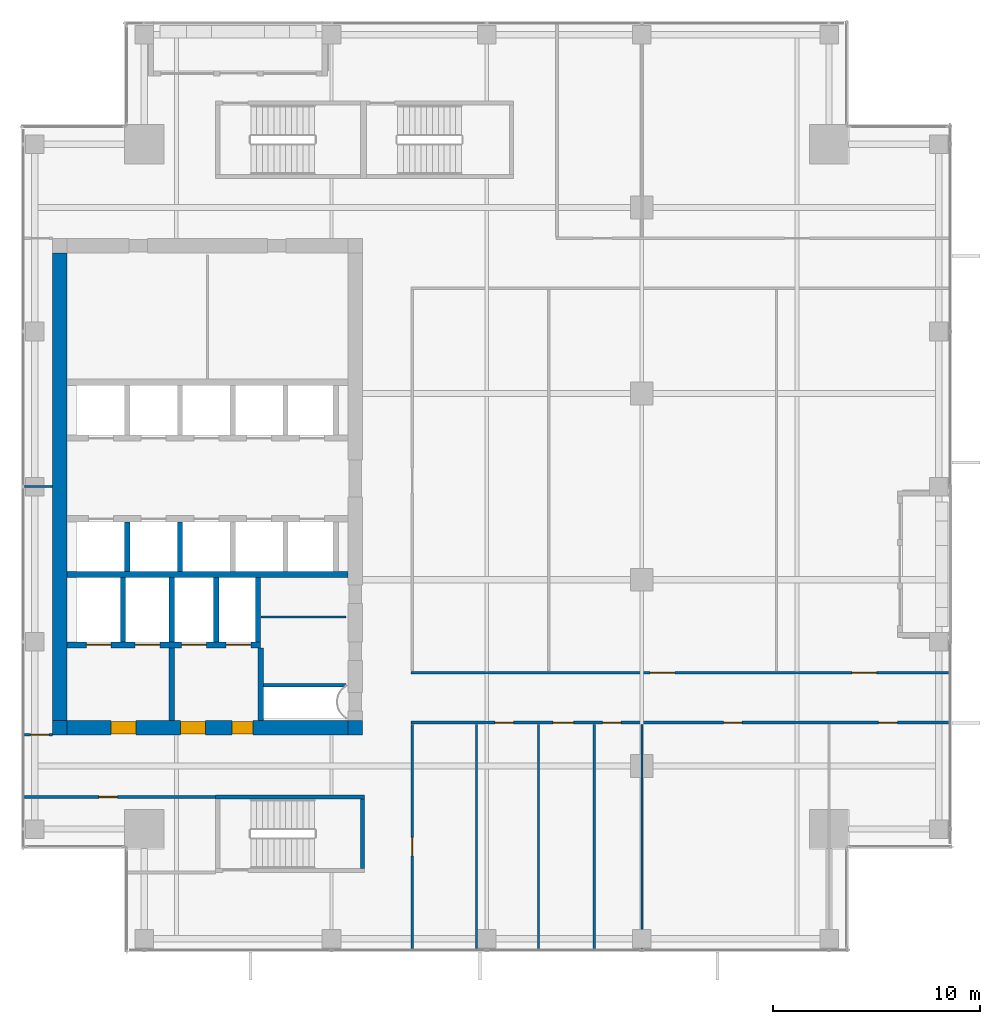
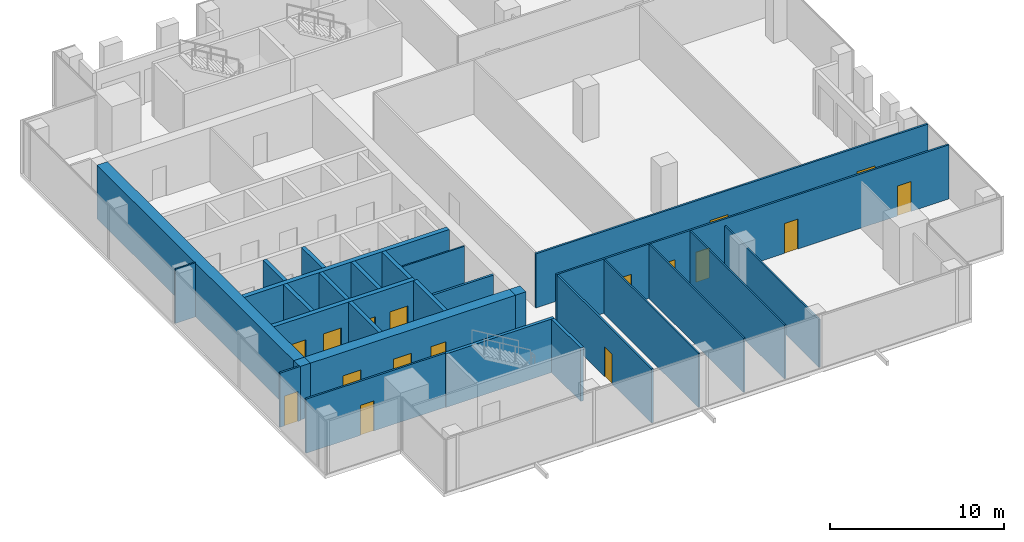
# One storey, part 31 of 36: 28 walls, 17 doors, 17 openings.
"""IFC4 building model written with IfcOpenShell, lengths in metres."""

from ifc_helpers import new_model, si_unit, direction, frame, frame_2d, origin, place, context, subcontext, project, spatial, rectangle, extrude, source, transform, mapped, material, layer, layer_set, type_object, element, fill, save


model = new_model("IFC4")

# Units and contexts
model_context = context("Model", 3, precision=1e-05, world=origin(), true_north=direction((0.0, 1.0)))
body_context = subcontext(model_context, "Body", "Model", "MODEL_VIEW")
ifc_project = project(units=[si_unit("LENGTHUNIT", "METRE"), si_unit("AREAUNIT", "SQUARE_METRE"), si_unit("VOLUMEUNIT", "CUBIC_METRE"), si_unit("PLANEANGLEUNIT", "RADIAN"), si_unit("MASSUNIT", "GRAM", prefix="KILO")], contexts=[model_context])

# Site, building, storey
site_placement = place(None, origin())
site = spatial("IfcSite", under=ifc_project, at=site_placement, CompositionType="ELEMENT")
building_placement = place(site_placement, origin())
building = spatial("IfcBuilding", under=site, at=building_placement, Name="Khomas Fold Tower", CompositionType="ELEMENT")
storey_placement = place(building_placement, frame((0.0, 0.0, 230.199951171875)))
storey = spatial("IfcBuildingStorey", under=building, at=storey_placement, Name="L51", CompositionType="ELEMENT", Elevation=230.199951171875)

# Walls
ifc_material_1 = material(Name="Concrete C50/60", Category="concrete")
ifc_layer_1 = layer(ifc_material_1, 0.199951171875)
ifc_layer_set_1 = layer_set([ifc_layer_1], Name="Concrete C50/60")
wall_type_1 = type_object("IfcWallType", Name="Stair wall 200", PredefinedType="SHEAR", material=ifc_layer_set_1)
shared_shape_1 = source(origin(), body_context, "Body", "SweptSolid", [
    extrude(rectangle(XDim=7.2001953125, YDim=0.199951171875, at=frame_2d((3.60009765625, 0.0))), origin(), (0.0, 0.0, 1.0), 3.75),
])
wall_1_placement = place(storey_placement, frame((13.89990234375, 12.0, 0.0), z_axis=(0.0, 0.0, 1.0), x_axis=(1.0, 0.0, 0.0)))
element("IfcWall", 1, at=wall_1_placement, inside=storey, type_object=wall_type_1, Name="Stair wall SW-ST2-NH", PredefinedType="SHEAR", context=body_context, shape_type="MappedRepresentation", body=[
    mapped(shared_shape_1, transform((0.0, 0.0, 0.0))),
])
shared_shape_2 = source(origin(), body_context, "Body", "SweptSolid", [
    extrude(rectangle(XDim=3.349853515625, YDim=0.199951171875, at=frame_2d((1.6748046875, 0.0))), origin(), (0.0, 0.0, 1.0), 3.75),
])
wall_2_placement = place(storey_placement, frame((21.0, 8.550048828125, 0.0), z_axis=(0.0, 0.0, 1.0), x_axis=(0.0, 1.0, 0.0)))
element("IfcWall", 2, at=wall_2_placement, inside=storey, type_object=wall_type_1, Name="Stair wall SW-ST2-E", PredefinedType="SHEAR", context=body_context, shape_type="MappedRepresentation", body=[
    mapped(shared_shape_2, transform((0.0, 0.0, 0.0))),
])
ifc_material_2 = material(Name="Concrete C50/60", Category="concrete")
ifc_layer_2 = layer(ifc_material_2, 0.25)
ifc_layer_set_2 = layer_set([ifc_layer_2], Name="Concrete C50/60")
wall_type_2 = type_object("IfcWallType", Name="Shaft wall 250", PredefinedType="STANDARD", material=ifc_layer_set_2)
shared_shape_3 = source(origin(), body_context, "Body", "SweptSolid", [
    extrude(rectangle(XDim=3.10009765625, YDim=0.25, at=frame_2d((1.550048828125, 0.0))), origin(), (0.0, 0.0, 1.0), 3.75),
])
for number, where, z_axis, x_axis, name in (
    (3, (9.425048828125, 19.5, 0.0), (0.0, 0.0, 1.0), (0.0, 1.0, 0.0), "Core wall SW-FS-P1"),
    (4, (11.77490234375, 19.5, 0.0), (0.0, 0.0, 1.0), (0.0, 1.0, 0.0), "Core wall SW-FS-P2"),
    (5, (13.925048828125, 19.5, 0.0), (0.0, 0.0, 1.0), (0.0, 1.0, 0.0), "Core wall SW-FS-P3"),
    (6, (15.949951171875, 19.5, 0.0), (0.0, 0.0, 1.0), (0.0, 1.0, 0.0), "Core wall SW-FS-PE"),
):
    element("IfcWall", number, at=place(storey_placement, frame(where, z_axis=z_axis, x_axis=x_axis)), inside=storey, type_object=wall_type_2, Name=name, PredefinedType="STANDARD", context=body_context, shape_type="MappedRepresentation", body=[
        mapped(shared_shape_3, transform((0.0, 0.0, 0.0))),
    ])
shared_shape_4 = source(origin(), body_context, "Body", "SweptSolid", [
    extrude(rectangle(XDim=2.400146484375, YDim=0.25, at=frame_2d((1.2001953125, 0.0))), origin(), (0.0, 0.0, 1.0), 3.75),
])
for number, where, z_axis, x_axis, name in (
    (7, (9.625, 22.89990234375, 0.0), (0.0, 0.0, 1.0), (0.0, 1.0, 0.0), "Core wall SW-HRS-P1"),
    (8, (12.175048828125, 22.89990234375, 0.0), (0.0, 0.0, 1.0), (0.0, 1.0, 0.0), "Core wall SW-HRS-P2"),
):
    element("IfcWall", number, at=place(storey_placement, frame(where, z_axis=z_axis, x_axis=x_axis)), inside=storey, type_object=wall_type_2, Name=name, PredefinedType="STANDARD", context=body_context, shape_type="MappedRepresentation", body=[
        mapped(shared_shape_4, transform((0.0, 0.0, 0.0))),
    ])

# Wall, openings, doors
ifc_material_3 = material(Name="Concrete C60/75", Category="concrete")
ifc_layer_3 = layer(ifc_material_3, 0.699951171875)
ifc_layer_set_3 = layer_set([ifc_layer_3], Name="Concrete C60/75")
wall_type_3 = type_object("IfcWallType", Name="Core wall 700", PredefinedType="SHEAR", material=ifc_layer_set_3)
shared_shape_5 = source(origin(), body_context, "Body", "SweptSolid", [
    extrude(rectangle(XDim=13.60009765625, YDim=0.699951171875, at=frame_2d((6.800048828125, 0.0))), origin(), (0.0, 0.0, 1.0), 3.75),
])
wall_3_placement = place(storey_placement, frame((6.699951171875, 15.35009765625, 0.0), z_axis=(0.0, 0.0, 1.0), x_axis=(1.0, 0.0, 0.0)))
wall_3 = element("IfcWall", 9, at=wall_3_placement, inside=storey, type_object=wall_type_3, Name="Core wall CW-U-S-L49", PredefinedType="SHEAR", context=body_context, shape_type="MappedRepresentation", body=[
    mapped(shared_shape_5, transform((0.0, 0.0, 0.0))),
])
shared_shape_6 = source(origin(), body_context, "Body", "SweptSolid", [
    extrude(rectangle(XDim=1.199951171875, YDim=2.10009765625, at=frame_2d((0.60009765625, 1.050048828125))), frame((0.0, 0.35986328125, 0.0), z_axis=(0.0, -1.0, 0.0), x_axis=(1.0, 0.0, 0.0)), (0.0, 0.0, 1.0), 0.719970703125),
])
opening_1_placement = place(wall_3_placement, frame((5.5, 0.0, 0.0)))
opening_1 = element("IfcOpeningElement", 10, at=opening_1_placement, cuts=wall_3, Name="Opening 0009", PredefinedType="OPENING", context=body_context, shape_type="MappedRepresentation", body=[
    mapped(shared_shape_6, transform((0.0, 0.0, 0.0))),
])
opening_2_placement = place(wall_3_placement, frame((2.14990234375, 0.0, 0.0)))
opening_2 = element("IfcOpeningElement", 11, at=opening_2_placement, cuts=wall_3, Name="Opening 0009", PredefinedType="OPENING", context=body_context, shape_type="MappedRepresentation", body=[
    mapped(shared_shape_6, transform((0.0, 0.0, 0.0))),
])
shared_shape_7 = source(origin(), body_context, "Body", "SweptSolid", [
    extrude(rectangle(XDim=1.0, YDim=2.10009765625, at=frame_2d((0.5, 1.050048828125))), frame((0.0, 0.35986328125, 0.0), z_axis=(0.0, -1.0, 0.0), x_axis=(1.0, 0.0, 0.0)), (0.0, 0.0, 1.0), 0.719970703125),
])
opening_3_placement = place(wall_3_placement, frame((8.0, 0.0, 0.0)))
opening_3 = element("IfcOpeningElement", 12, at=opening_3_placement, cuts=wall_3, Name="Opening 0010", PredefinedType="OPENING", context=body_context, shape_type="MappedRepresentation", body=[
    mapped(shared_shape_7, transform((0.0, 0.0, 0.0))),
])
ifc_material_4 = material(Name="Steel door leaf", Category="steel")
door_type_1 = type_object("IfcDoorType", Name="Lobby door 1200x2100 right-hand", OperationType="SINGLE_SWING_RIGHT", PredefinedType="DOOR", material=ifc_material_4)
shared_shape_8 = source(origin(), body_context, "Body", "SweptSolid", [
    extrude(rectangle(XDim=1.199951171875, YDim=2.10009765625, at=frame_2d((0.60009765625, 1.050048828125))), frame((0.0, 0.2998046875, 0.0), z_axis=(0.0, -1.0, 0.0), x_axis=(1.0, 0.0, 0.0)), (0.0, 0.0, 1.0), 0.599853515625),
])
door_1_placement = place(opening_1_placement, origin())
door_1 = element("IfcDoor", 13, at=door_1_placement, inside=storey, type_object=door_type_1, Name="Lobby door", OperationType="SINGLE_SWING_RIGHT", OverallHeight=2.10009765625, OverallWidth=1.199951171875, PredefinedType="DOOR", context=body_context, shape_type="MappedRepresentation", body=[
    mapped(shared_shape_8, transform((0.0, 0.0, 0.0))),
])
fill(opening_1, door_1)
door_2_placement = place(opening_2_placement, origin())
door_2 = element("IfcDoor", 14, at=door_2_placement, inside=storey, type_object=door_type_1, Name="Lobby door", OperationType="SINGLE_SWING_RIGHT", OverallHeight=2.10009765625, OverallWidth=1.199951171875, PredefinedType="DOOR", context=body_context, shape_type="MappedRepresentation", body=[
    mapped(shared_shape_8, transform((0.0, 0.0, 0.0))),
])
fill(opening_2, door_2)
ifc_material_5 = material(Name="Steel door leaf", Category="steel")
door_type_2 = type_object("IfcDoorType", Name="Stair door 1000x2100 right-hand", OperationType="SINGLE_SWING_RIGHT", PredefinedType="DOOR", material=ifc_material_5)
shared_shape_9 = source(origin(), body_context, "Body", "SweptSolid", [
    extrude(rectangle(XDim=1.0, YDim=2.10009765625, at=frame_2d((0.5, 1.050048828125))), frame((0.0, 0.2998046875, 0.0), z_axis=(0.0, -1.0, 0.0), x_axis=(1.0, 0.0, 0.0)), (0.0, 0.0, 1.0), 0.599853515625),
])
door_3_placement = place(opening_3_placement, origin())
door_3 = element("IfcDoor", 15, at=door_3_placement, inside=storey, type_object=door_type_2, Name="Stair door", OperationType="SINGLE_SWING_RIGHT", OverallHeight=2.10009765625, OverallWidth=1.0, PredefinedType="DOOR", context=body_context, shape_type="MappedRepresentation", body=[
    mapped(shared_shape_9, transform((0.0, 0.0, 0.0))),
])
fill(opening_3, door_3)

# Walls
ifc_material_6 = material(Name="Concrete C60/75", Category="concrete")
ifc_layer_4 = layer(ifc_material_6, 0.699951171875)
ifc_layer_set_4 = layer_set([ifc_layer_4], Name="Concrete C60/75")
wall_type_4 = type_object("IfcWallType", Name="Core corner wall 700", PredefinedType="SHEAR", material=ifc_layer_set_4)
shared_shape_10 = source(origin(), body_context, "Body", "SweptSolid", [
    extrude(rectangle(XDim=0.699951171875, YDim=0.699951171875, at=frame_2d((0.35009765625, 0.0))), origin(), (0.0, 0.0, 1.0), 3.75),
])
for number, where, z_axis, x_axis, name in (
    (16, (20.300048828125, 15.35009765625, 0.0), (0.0, 0.0, 1.0), (1.0, 0.0, 0.0), "Core wall CW-U-SE-L49"),
    (17, (6.0, 15.35009765625, 0.0), (0.0, 0.0, 1.0), (1.0, 0.0, 0.0), "Core wall CW-U-SW-L49"),
):
    element("IfcWall", number, at=place(storey_placement, frame(where, z_axis=z_axis, x_axis=x_axis)), inside=storey, type_object=wall_type_4, Name=name, PredefinedType="SHEAR", context=body_context, shape_type="MappedRepresentation", body=[
        mapped(shared_shape_10, transform((0.0, 0.0, 0.0))),
    ])
shared_shape_11 = source(origin(), body_context, "Body", "SweptSolid", [
    extrude(rectangle(XDim=22.60009765625, YDim=0.699951171875, at=frame_2d((11.300048828125, 0.0))), origin(), (0.0, 0.0, 1.0), 3.75),
])
wall_4_placement = place(storey_placement, frame((6.35009765625, 15.699951171875, 0.0), z_axis=(0.0, 0.0, 1.0), x_axis=(0.0, 1.0, 0.0)))
element("IfcWall", 18, at=wall_4_placement, inside=storey, type_object=wall_type_3, Name="Core wall CW-U-W-L49", PredefinedType="SHEAR", context=body_context, shape_type="MappedRepresentation", body=[
    mapped(shared_shape_11, transform((0.0, 0.0, 0.0))),
])
ifc_material_7 = material(Name="Concrete C50/60", Category="concrete")
ifc_layer_5 = layer(ifc_material_7, 0.300048828125)
ifc_layer_set_5 = layer_set([ifc_layer_5], Name="Concrete C50/60")
wall_type_5 = type_object("IfcWallType", Name="Shaft wall 300", PredefinedType="STANDARD", material=ifc_layer_set_5)
shared_shape_12 = source(origin(), body_context, "Body", "SweptSolid", [
    extrude(rectangle(XDim=13.60009765625, YDim=0.300048828125, at=frame_2d((6.800048828125, 0.0))), origin(), (0.0, 0.0, 1.0), 3.75),
])
wall_5_placement = place(storey_placement, frame((6.699951171875, 22.75, 0.0), z_axis=(0.0, 0.0, 1.0), x_axis=(1.0, 0.0, 0.0)))
element("IfcWall", 19, at=wall_5_placement, inside=storey, type_object=wall_type_5, Name="Core wall SW-FS-B", PredefinedType="STANDARD", context=body_context, shape_type="MappedRepresentation", body=[
    mapped(shared_shape_12, transform((0.0, 0.0, 0.0))),
])

# Wall, openings, doors
shared_shape_13 = source(origin(), body_context, "Body", "SweptSolid", [
    extrude(rectangle(XDim=9.375, YDim=0.300048828125, at=frame_2d((4.6875, 0.0))), origin(), (0.0, 0.0, 1.0), 3.75),
])
wall_6_placement = place(storey_placement, frame((6.699951171875, 19.35009765625, 0.0), z_axis=(0.0, 0.0, 1.0), x_axis=(1.0, 0.0, 0.0)))
wall_6 = element("IfcWall", 20, at=wall_6_placement, inside=storey, type_object=wall_type_5, Name="Core wall SW-FS-F", PredefinedType="STANDARD", context=body_context, shape_type="MappedRepresentation", body=[
    mapped(shared_shape_13, transform((0.0, 0.0, 0.0))),
])
shared_shape_14 = source(origin(), body_context, "Body", "SweptSolid", [
    extrude(rectangle(XDim=1.199951171875, YDim=2.10009765625, at=frame_2d((0.60009765625, 1.050048828125))), frame((0.0, 0.159912109375, 0.0), z_axis=(0.0, -1.0, 0.0), x_axis=(1.0, 0.0, 0.0)), (0.0, 0.0, 1.0), 0.320068359375),
])
opening_4_placement = place(wall_6_placement, frame((0.949951171875, 0.0, 0.0)))
opening_4 = element("IfcOpeningElement", 21, at=opening_4_placement, cuts=wall_6, Name="Opening LD-SV1", PredefinedType="OPENING", context=body_context, shape_type="MappedRepresentation", body=[
    mapped(shared_shape_14, transform((0.0, 0.0, 0.0))),
])
opening_5_placement = place(wall_6_placement, frame((3.300048828125, 0.0, 0.0)))
opening_5 = element("IfcOpeningElement", 22, at=opening_5_placement, cuts=wall_6, Name="Opening LD-SV2", PredefinedType="OPENING", context=body_context, shape_type="MappedRepresentation", body=[
    mapped(shared_shape_14, transform((0.0, 0.0, 0.0))),
])
opening_6_placement = place(wall_6_placement, frame((5.550048828125, 0.0, 0.0)))
opening_6 = element("IfcOpeningElement", 23, at=opening_6_placement, cuts=wall_6, Name="Opening LD-FF1", PredefinedType="OPENING", context=body_context, shape_type="MappedRepresentation", body=[
    mapped(shared_shape_14, transform((0.0, 0.0, 0.0))),
])
opening_7_placement = place(wall_6_placement, frame((7.699951171875, 0.0, 0.0)))
opening_7 = element("IfcOpeningElement", 24, at=opening_7_placement, cuts=wall_6, Name="Opening LD-FF2", PredefinedType="OPENING", context=body_context, shape_type="MappedRepresentation", body=[
    mapped(shared_shape_14, transform((0.0, 0.0, 0.0))),
])
ifc_material_8 = material(Name="Steel door leaf", Category="steel")
door_type_3 = type_object("IfcDoorType", Name="Landing door 1200x2100", OperationType="DOUBLE_DOOR_SLIDING", PredefinedType="DOOR", material=ifc_material_8)
shared_shape_15 = source(origin(), body_context, "Body", "SweptSolid", [
    extrude(rectangle(XDim=1.199951171875, YDim=2.10009765625, at=frame_2d((0.60009765625, 1.050048828125))), frame((0.0, 0.02490234375, 0.0), z_axis=(0.0, -1.0, 0.0), x_axis=(1.0, 0.0, 0.0)), (0.0, 0.0, 1.0), 0.050048828125),
])
door_4_placement = place(opening_4_placement, origin())
door_4 = element("IfcDoor", 25, at=door_4_placement, inside=storey, type_object=door_type_3, Name="Lift landing door", OperationType="DOUBLE_DOOR_SLIDING", OverallHeight=2.10009765625, OverallWidth=1.199951171875, PredefinedType="DOOR", context=body_context, shape_type="MappedRepresentation", body=[
    mapped(shared_shape_15, transform((0.0, 0.0, 0.0))),
])
fill(opening_4, door_4)
door_5_placement = place(opening_5_placement, origin())
door_5 = element("IfcDoor", 26, at=door_5_placement, inside=storey, type_object=door_type_3, Name="Lift landing door", OperationType="DOUBLE_DOOR_SLIDING", OverallHeight=2.10009765625, OverallWidth=1.199951171875, PredefinedType="DOOR", context=body_context, shape_type="MappedRepresentation", body=[
    mapped(shared_shape_15, transform((0.0, 0.0, 0.0))),
])
fill(opening_5, door_5)
door_6_placement = place(opening_6_placement, origin())
door_6 = element("IfcDoor", 27, at=door_6_placement, inside=storey, type_object=door_type_3, Name="Lift landing door", OperationType="DOUBLE_DOOR_SLIDING", OverallHeight=2.10009765625, OverallWidth=1.199951171875, PredefinedType="DOOR", context=body_context, shape_type="MappedRepresentation", body=[
    mapped(shared_shape_15, transform((0.0, 0.0, 0.0))),
])
fill(opening_6, door_6)
door_7_placement = place(opening_7_placement, origin())
door_7 = element("IfcDoor", 28, at=door_7_placement, inside=storey, type_object=door_type_3, Name="Lift landing door", OperationType="DOUBLE_DOOR_SLIDING", OverallHeight=2.10009765625, OverallWidth=1.199951171875, PredefinedType="DOOR", context=body_context, shape_type="MappedRepresentation", body=[
    mapped(shared_shape_15, transform((0.0, 0.0, 0.0))),
])
fill(opening_7, door_7)

# Walls
ifc_material_9 = material(Name="Concrete C50/60", Category="concrete")
ifc_layer_6 = layer(ifc_material_9, 0.25)
ifc_layer_set_6 = layer_set([ifc_layer_6], Name="Concrete C50/60")
wall_type_6 = type_object("IfcWallType", Name="Lobby wall 250", PredefinedType="STANDARD", material=ifc_layer_set_6)
shared_shape_16 = source(origin(), body_context, "Body", "SweptSolid", [
    extrude(rectangle(XDim=3.5, YDim=0.25, at=frame_2d((1.75, 0.0))), origin(), (0.0, 0.0, 1.0), 3.75),
])
for number, where, z_axis, x_axis, name in (
    (29, (16.074951171875, 15.699951171875, 0.0), (0.0, 0.0, 1.0), (0.0, 1.0, 0.0), "Core wall SW-FS-LOB-E"),
    (30, (11.77490234375, 15.699951171875, 0.0), (0.0, 0.0, 1.0), (0.0, 1.0, 0.0), "Core wall SW-FS-SEP"),
):
    element("IfcWall", number, at=place(storey_placement, frame(where, z_axis=z_axis, x_axis=x_axis)), inside=storey, type_object=wall_type_6, Name=name, PredefinedType="STANDARD", context=body_context, shape_type="MappedRepresentation", body=[
        mapped(shared_shape_16, transform((0.0, 0.0, 0.0))),
    ])
ifc_material_10 = material(Name="Plasterboard fire partition")
ifc_layer_7 = layer(ifc_material_10, 0.14990234375)
ifc_layer_set_7 = layer_set([ifc_layer_7], Name="Plasterboard fire partition")
wall_type_7 = type_object("IfcWallType", Name="Plant room wall PW3 150", PredefinedType="PARTITIONING", material=ifc_layer_set_7)
shared_shape_17 = source(origin(), body_context, "Body", "SweptSolid", [
    extrude(rectangle(XDim=4.0, YDim=0.14990234375, at=frame_2d((2.0, 0.0))), origin(), (0.0, 0.0, 1.0), 3.800048828125),
])
wall_7_placement = place(storey_placement, frame((16.199951171875, 17.39990234375, 0.0), z_axis=(0.0, 0.0, 1.0), x_axis=(1.0, 0.0, 0.0)))
element("IfcWall", 31, at=wall_7_placement, inside=storey, type_object=wall_type_7, Name="Plant room wall", PredefinedType="PARTITIONING", context=body_context, shape_type="MappedRepresentation", body=[
    mapped(shared_shape_17, transform((0.0, 0.0, 0.0))),
])
ifc_material_11 = material(Name="Plasterboard partition")
ifc_layer_8 = layer(ifc_material_11, 0.10009765625)
ifc_layer_set_8 = layer_set([ifc_layer_8], Name="Plasterboard partition")
wall_type_8 = type_object("IfcWallType", Name="Partition PW1 100", PredefinedType="PARTITIONING", material=ifc_layer_set_8)
shared_shape_18 = source(origin(), body_context, "Body", "SweptSolid", [
    extrude(rectangle(XDim=4.099853515625, YDim=0.10009765625, at=frame_2d((2.0498046875, 0.0))), origin(), (0.0, 0.0, 1.0), 3.800048828125),
])
wall_8_placement = place(storey_placement, frame((16.10009765625, 20.699951171875, 0.0), z_axis=(0.0, 0.0, 1.0), x_axis=(1.0, 0.0, 0.0)))
element("IfcWall", 32, at=wall_8_placement, inside=storey, type_object=wall_type_8, Name="Partition", PredefinedType="PARTITIONING", context=body_context, shape_type="MappedRepresentation", body=[
    mapped(shared_shape_18, transform((0.0, 0.0, 0.0))),
])

# Wall, opening, door
ifc_material_12 = material(Name="Plasterboard partition")
ifc_layer_9 = layer(ifc_material_12, 0.125)
ifc_layer_set_9 = layer_set([ifc_layer_9], Name="Plasterboard partition")
wall_type_9 = type_object("IfcWallType", Name="Partition PW2 125", PredefinedType="PARTITIONING", material=ifc_layer_set_9)
shared_shape_19 = source(origin(), body_context, "Body", "SweptSolid", [
    extrude(rectangle(XDim=9.25, YDim=0.125, at=frame_2d((4.625, 0.0))), origin(), (0.0, 0.0, 1.0), 3.800048828125),
])
wall_9_placement = place(storey_placement, frame((4.64990234375, 12.0, 0.0), z_axis=(0.0, 0.0, 1.0), x_axis=(1.0, 0.0, 0.0)))
wall_9 = element("IfcWall", 33, at=wall_9_placement, inside=storey, type_object=wall_type_9, Name="Partition", PredefinedType="PARTITIONING", context=body_context, shape_type="MappedRepresentation", body=[
    mapped(shared_shape_19, transform((0.0, 0.0, 0.0))),
])
shared_shape_20 = source(origin(), body_context, "Body", "SweptSolid", [
    extrude(rectangle(XDim=0.89990234375, YDim=2.10009765625, at=frame_2d((0.449951171875, 1.050048828125))), frame((0.0, 0.072509765625, 0.0), z_axis=(0.0, -1.0, 0.0), x_axis=(1.0, 0.0, 0.0)), (0.0, 0.0, 1.0), 0.14501953125),
])
opening_8_placement = place(wall_9_placement, frame((3.60009765625, 0.0, 0.0)))
opening_8 = element("IfcOpeningElement", 34, at=opening_8_placement, cuts=wall_9, Name="Opening 0007", PredefinedType="OPENING", context=body_context, shape_type="MappedRepresentation", body=[
    mapped(shared_shape_20, transform((0.0, 0.0, 0.0))),
])
ifc_material_13 = material(Name="Timber door leaf", Category="wood")
door_type_4 = type_object("IfcDoorType", Name="Door 900x2100 left-hand", OperationType="SINGLE_SWING_LEFT", PredefinedType="DOOR", material=ifc_material_13)
shared_shape_21 = source(origin(), body_context, "Body", "SweptSolid", [
    extrude(rectangle(XDim=0.89990234375, YDim=2.10009765625, at=frame_2d((0.449951171875, 1.050048828125))), frame((0.0, 0.02490234375, 0.0), z_axis=(0.0, -1.0, 0.0), x_axis=(1.0, 0.0, 0.0)), (0.0, 0.0, 1.0), 0.050048828125),
])
door_8_placement = place(opening_8_placement, origin())
door_8 = element("IfcDoor", 35, at=door_8_placement, inside=storey, type_object=door_type_4, Name="Door", OperationType="SINGLE_SWING_LEFT", OverallHeight=2.10009765625, OverallWidth=0.89990234375, PredefinedType="DOOR", context=body_context, shape_type="MappedRepresentation", body=[
    mapped(shared_shape_21, transform((0.0, 0.0, 0.0))),
])
fill(opening_8, door_8)

shared_shape_22 = source(origin(), body_context, "Body", "SweptSolid", [
    extrude(rectangle(XDim=10.85009765625, YDim=0.125, at=frame_2d((5.425048828125, 0.0))), origin(), (0.0, 0.0, 1.0), 3.800048828125),
])
wall_10_placement = place(storey_placement, frame((23.39990234375, 4.64990234375, 0.0), z_axis=(0.0, 0.0, 1.0), x_axis=(0.0, 1.0, 0.0)))
wall_10 = element("IfcWall", 36, at=wall_10_placement, inside=storey, type_object=wall_type_9, Name="Partition", PredefinedType="PARTITIONING", context=body_context, shape_type="MappedRepresentation", body=[
    mapped(shared_shape_22, transform((0.0, 0.0, 0.0))),
])
opening_9_placement = place(wall_10_placement, frame((4.5, 0.0, 0.0)))
opening_9 = element("IfcOpeningElement", 37, at=opening_9_placement, cuts=wall_10, Name="Opening 0005", PredefinedType="OPENING", context=body_context, shape_type="MappedRepresentation", body=[
    mapped(shared_shape_20, transform((0.0, 0.0, 0.0))),
])
ifc_material_14 = material(Name="Timber door leaf", Category="wood")
door_type_5 = type_object("IfcDoorType", Name="WC door 900x2100 left-hand", OperationType="SINGLE_SWING_LEFT", PredefinedType="DOOR", material=ifc_material_14)
door_9_placement = place(opening_9_placement, origin())
door_9 = element("IfcDoor", 38, at=door_9_placement, inside=storey, type_object=door_type_5, Name="WC door", OperationType="SINGLE_SWING_LEFT", OverallHeight=2.10009765625, OverallWidth=0.89990234375, PredefinedType="DOOR", context=body_context, shape_type="MappedRepresentation", body=[
    mapped(shared_shape_21, transform((0.0, 0.0, 0.0))),
])
fill(opening_9, door_9)

# Walls
shared_shape_23 = source(origin(), body_context, "Body", "SweptSolid", [
    extrude(rectangle(XDim=10.85009765625, YDim=0.10009765625, at=frame_2d((5.425048828125, 0.0))), origin(), (0.0, 0.0, 1.0), 3.800048828125),
])
for number, where, z_axis, x_axis, name in (
    (39, (26.5, 4.64990234375, 0.0), (0.0, 0.0, 1.0), (0.0, 1.0, 0.0), "Partition"),
    (40, (29.5, 4.64990234375, 0.0), (0.0, 0.0, 1.0), (0.0, 1.0, 0.0), "Partition"),
    (41, (32.199951171875, 4.64990234375, 0.0), (0.0, 0.0, 1.0), (0.0, 1.0, 0.0), "Partition"),
):
    element("IfcWall", number, at=place(storey_placement, frame(where, z_axis=z_axis, x_axis=x_axis)), inside=storey, type_object=wall_type_8, Name=name, PredefinedType="PARTITIONING", context=body_context, shape_type="MappedRepresentation", body=[
        mapped(shared_shape_23, transform((0.0, 0.0, 0.0))),
    ])
shared_shape_24 = source(origin(), body_context, "Body", "SweptSolid", [
    extrude(rectangle(XDim=10.85009765625, YDim=0.10009765625, at=frame_2d((5.425048828125, 0.0))), origin(), (0.0, 0.0, 1.0), 3.35009765625),
])
wall_11_placement = place(storey_placement, frame((34.5, 4.64990234375, 0.0), z_axis=(0.0, 0.0, 1.0), x_axis=(0.0, 1.0, 0.0)))
element("IfcWall", 42, at=wall_11_placement, inside=storey, type_object=wall_type_8, Name="Partition", PredefinedType="PARTITIONING", context=body_context, shape_type="MappedRepresentation", body=[
    mapped(shared_shape_24, transform((0.0, 0.0, 0.0))),
])

# Wall, opening, door
shared_shape_25 = source(origin(), body_context, "Body", "SweptSolid", [
    extrude(rectangle(XDim=1.35009765625, YDim=0.125, at=frame_2d((0.675048828125, 0.0))), origin(), (0.0, 0.0, 1.0), 3.800048828125),
])
wall_12_placement = place(storey_placement, frame((4.64990234375, 15.0, 0.0), z_axis=(0.0, 0.0, 1.0), x_axis=(1.0, 0.0, 0.0)))
wall_12 = element("IfcWall", 43, at=wall_12_placement, inside=storey, type_object=wall_type_9, Name="Partition", PredefinedType="PARTITIONING", context=body_context, shape_type="MappedRepresentation", body=[
    mapped(shared_shape_25, transform((0.0, 0.0, 0.0))),
])
opening_10_placement = place(wall_12_placement, frame((0.300048828125, 0.0, 0.0)))
opening_10 = element("IfcOpeningElement", 44, at=opening_10_placement, cuts=wall_12, Name="Opening 0007", PredefinedType="OPENING", context=body_context, shape_type="MappedRepresentation", body=[
    mapped(shared_shape_20, transform((0.0, 0.0, 0.0))),
])
door_10_placement = place(opening_10_placement, origin())
door_10 = element("IfcDoor", 45, at=door_10_placement, inside=storey, type_object=door_type_4, Name="Door", OperationType="SINGLE_SWING_LEFT", OverallHeight=2.10009765625, OverallWidth=0.89990234375, PredefinedType="DOOR", context=body_context, shape_type="MappedRepresentation", body=[
    mapped(shared_shape_21, transform((0.0, 0.0, 0.0))),
])
fill(opening_10, door_10)

# Wall, openings, doors
shared_shape_26 = source(origin(), body_context, "Body", "SweptSolid", [
    extrude(rectangle(XDim=26.0, YDim=0.125, at=frame_2d((13.0, 0.0))), origin(), (0.0, 0.0, 1.0), 3.800048828125),
])
wall_13_placement = place(storey_placement, frame((23.35009765625, 15.60009765625, 0.0), z_axis=(0.0, 0.0, 1.0), x_axis=(1.0, 0.0, 0.0)))
wall_13 = element("IfcWall", 46, at=wall_13_placement, inside=storey, type_object=wall_type_9, Name="Partition", PredefinedType="PARTITIONING", context=body_context, shape_type="MappedRepresentation", body=[
    mapped(shared_shape_26, transform((0.0, 0.0, 0.0))),
])
opening_11_placement = place(wall_13_placement, frame((4.050048828125, 0.0, 0.0)))
opening_11 = element("IfcOpeningElement", 47, at=opening_11_placement, cuts=wall_13, Name="Opening 0005", PredefinedType="OPENING", context=body_context, shape_type="MappedRepresentation", body=[
    mapped(shared_shape_20, transform((0.0, 0.0, 0.0))),
])
shared_shape_27 = source(origin(), body_context, "Body", "SweptSolid", [
    extrude(rectangle(XDim=1.0, YDim=2.10009765625, at=frame_2d((0.5, 1.050048828125))), frame((0.0, 0.072509765625, 0.0), z_axis=(0.0, -1.0, 0.0), x_axis=(1.0, 0.0, 0.0)), (0.0, 0.0, 1.0), 0.14501953125),
])
opening_12_placement = place(wall_13_placement, frame((6.85009765625, 0.0, 0.0)))
opening_12 = element("IfcOpeningElement", 48, at=opening_12_placement, cuts=wall_13, Name="Opening 0014", PredefinedType="OPENING", context=body_context, shape_type="MappedRepresentation", body=[
    mapped(shared_shape_27, transform((0.0, 0.0, 0.0))),
])
opening_13_placement = place(wall_13_placement, frame((9.25, 0.0, 0.0)))
opening_13 = element("IfcOpeningElement", 49, at=opening_13_placement, cuts=wall_13, Name="Opening 0007", PredefinedType="OPENING", context=body_context, shape_type="MappedRepresentation", body=[
    mapped(shared_shape_20, transform((0.0, 0.0, 0.0))),
])
opening_14_placement = place(wall_13_placement, frame((15.10009765625, 0.0, 0.0)))
opening_14 = element("IfcOpeningElement", 50, at=opening_14_placement, cuts=wall_13, Name="Opening 0007", PredefinedType="OPENING", context=body_context, shape_type="MappedRepresentation", body=[
    mapped(shared_shape_20, transform((0.0, 0.0, 0.0))),
])
opening_15_placement = place(wall_13_placement, frame((22.60009765625, 0.0, 0.0)))
opening_15 = element("IfcOpeningElement", 51, at=opening_15_placement, cuts=wall_13, Name="Opening 0007", PredefinedType="OPENING", context=body_context, shape_type="MappedRepresentation", body=[
    mapped(shared_shape_20, transform((0.0, 0.0, 0.0))),
])
door_11_placement = place(opening_11_placement, origin())
door_11 = element("IfcDoor", 52, at=door_11_placement, inside=storey, type_object=door_type_5, Name="WC door", OperationType="SINGLE_SWING_LEFT", OverallHeight=2.10009765625, OverallWidth=0.89990234375, PredefinedType="DOOR", context=body_context, shape_type="MappedRepresentation", body=[
    mapped(shared_shape_21, transform((0.0, 0.0, 0.0))),
])
fill(opening_11, door_11)
door_12_placement = place(opening_13_placement, origin())
door_12 = element("IfcDoor", 53, at=door_12_placement, inside=storey, type_object=door_type_4, Name="Door", OperationType="SINGLE_SWING_LEFT", OverallHeight=2.10009765625, OverallWidth=0.89990234375, PredefinedType="DOOR", context=body_context, shape_type="MappedRepresentation", body=[
    mapped(shared_shape_21, transform((0.0, 0.0, 0.0))),
])
fill(opening_13, door_12)
door_13_placement = place(opening_14_placement, origin())
door_13 = element("IfcDoor", 54, at=door_13_placement, inside=storey, type_object=door_type_4, Name="Door", OperationType="SINGLE_SWING_LEFT", OverallHeight=2.10009765625, OverallWidth=0.89990234375, PredefinedType="DOOR", context=body_context, shape_type="MappedRepresentation", body=[
    mapped(shared_shape_21, transform((0.0, 0.0, 0.0))),
])
fill(opening_14, door_13)
door_14_placement = place(opening_15_placement, origin())
door_14 = element("IfcDoor", 55, at=door_14_placement, inside=storey, type_object=door_type_4, Name="Door", OperationType="SINGLE_SWING_LEFT", OverallHeight=2.10009765625, OverallWidth=0.89990234375, PredefinedType="DOOR", context=body_context, shape_type="MappedRepresentation", body=[
    mapped(shared_shape_21, transform((0.0, 0.0, 0.0))),
])
fill(opening_15, door_14)
ifc_material_15 = material(Name="Timber door leaf", Category="wood")
door_type_6 = type_object("IfcDoorType", Name="WC door 1000x2100 left-hand", OperationType="SINGLE_SWING_LEFT", PredefinedType="DOOR", material=ifc_material_15)
shared_shape_28 = source(origin(), body_context, "Body", "SweptSolid", [
    extrude(rectangle(XDim=1.0, YDim=2.10009765625, at=frame_2d((0.5, 1.050048828125))), frame((0.0, 0.02490234375, 0.0), z_axis=(0.0, -1.0, 0.0), x_axis=(1.0, 0.0, 0.0)), (0.0, 0.0, 1.0), 0.050048828125),
])
door_15_placement = place(opening_12_placement, origin())
door_15 = element("IfcDoor", 56, at=door_15_placement, inside=storey, type_object=door_type_6, Name="WC door", OperationType="SINGLE_SWING_LEFT", OverallHeight=2.10009765625, OverallWidth=1.0, PredefinedType="DOOR", context=body_context, shape_type="MappedRepresentation", body=[
    mapped(shared_shape_28, transform((0.0, 0.0, 0.0))),
])
fill(opening_12, door_15)

wall_14_placement = place(storey_placement, frame((23.35009765625, 18.0, 0.0), z_axis=(0.0, 0.0, 1.0), x_axis=(1.0, 0.0, 0.0)))
wall_14 = element("IfcWall", 57, at=wall_14_placement, inside=storey, type_object=wall_type_9, Name="Partition", PredefinedType="PARTITIONING", context=body_context, shape_type="MappedRepresentation", body=[
    mapped(shared_shape_26, transform((0.0, 0.0, 0.0))),
])
shared_shape_29 = source(origin(), body_context, "Body", "SweptSolid", [
    extrude(rectangle(XDim=1.199951171875, YDim=2.10009765625, at=frame_2d((0.60009765625, 1.050048828125))), frame((0.0, 0.072509765625, 0.0), z_axis=(0.0, -1.0, 0.0), x_axis=(1.0, 0.0, 0.0)), (0.0, 0.0, 1.0), 0.14501953125),
])
opening_16_placement = place(wall_14_placement, frame((11.550048828125, 0.0, 0.0)))
opening_16 = element("IfcOpeningElement", 58, at=opening_16_placement, cuts=wall_14, Name="Opening 0001", PredefinedType="OPENING", context=body_context, shape_type="MappedRepresentation", body=[
    mapped(shared_shape_29, transform((0.0, 0.0, 0.0))),
])
opening_17_placement = place(wall_14_placement, frame((21.300048828125, 0.0, 0.0)))
opening_17 = element("IfcOpeningElement", 59, at=opening_17_placement, cuts=wall_14, Name="Opening 0013", PredefinedType="OPENING", context=body_context, shape_type="MappedRepresentation", body=[
    mapped(shared_shape_29, transform((0.0, 0.0, 0.0))),
])
ifc_material_16 = material(Name="Timber door leaf", Category="wood")
door_type_7 = type_object("IfcDoorType", Name="Door 1200x2100 right-hand", OperationType="SINGLE_SWING_RIGHT", PredefinedType="DOOR", material=ifc_material_16)
door_16_placement = place(opening_16_placement, origin())
door_16 = element("IfcDoor", 60, at=door_16_placement, inside=storey, type_object=door_type_7, Name="Door", OperationType="SINGLE_SWING_RIGHT", OverallHeight=2.10009765625, OverallWidth=1.199951171875, PredefinedType="DOOR", context=body_context, shape_type="MappedRepresentation", body=[
    mapped(shared_shape_15, transform((0.0, 0.0, 0.0))),
])
fill(opening_16, door_16)
ifc_material_17 = material(Name="Timber door leaf", Category="wood")
door_type_8 = type_object("IfcDoorType", Name="Door 1200x2100 left-hand", OperationType="SINGLE_SWING_LEFT", PredefinedType="DOOR", material=ifc_material_17)
door_17_placement = place(opening_17_placement, origin())
door_17 = element("IfcDoor", 61, at=door_17_placement, inside=storey, type_object=door_type_8, Name="Door", OperationType="SINGLE_SWING_LEFT", OverallHeight=2.10009765625, OverallWidth=1.199951171875, PredefinedType="DOOR", context=body_context, shape_type="MappedRepresentation", body=[
    mapped(shared_shape_15, transform((0.0, 0.0, 0.0))),
])
fill(opening_17, door_17)

# Wall
shared_shape_30 = source(origin(), body_context, "Body", "SweptSolid", [
    extrude(rectangle(XDim=1.35009765625, YDim=0.10009765625, at=frame_2d((0.675048828125, 0.0))), origin(), (0.0, 0.0, 1.0), 3.800048828125),
])
wall_15_placement = place(storey_placement, frame((4.64990234375, 27.0, 0.0), z_axis=(0.0, 0.0, 1.0), x_axis=(1.0, 0.0, 0.0)))
element("IfcWall", 62, at=wall_15_placement, inside=storey, type_object=wall_type_8, Name="Partition", PredefinedType="PARTITIONING", context=body_context, shape_type="MappedRepresentation", body=[
    mapped(shared_shape_30, transform((0.0, 0.0, 0.0))),
])

save(model, "model.ifc")
